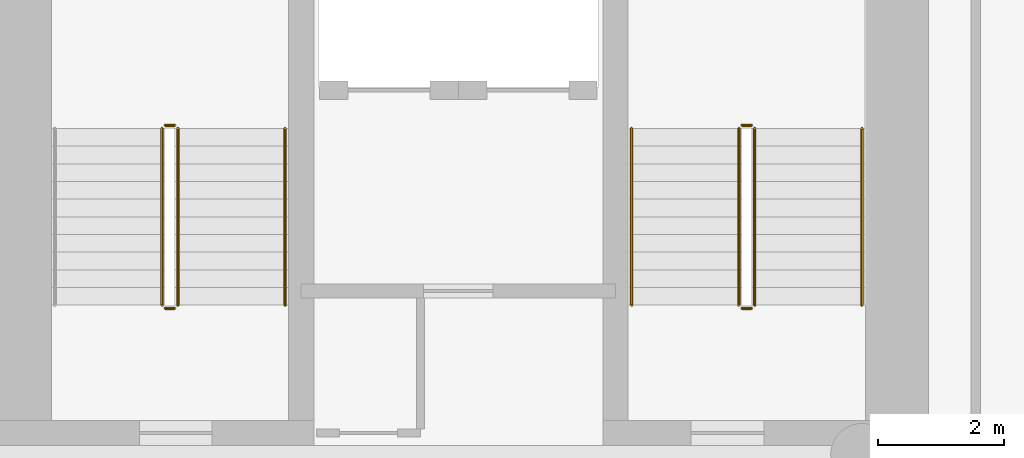
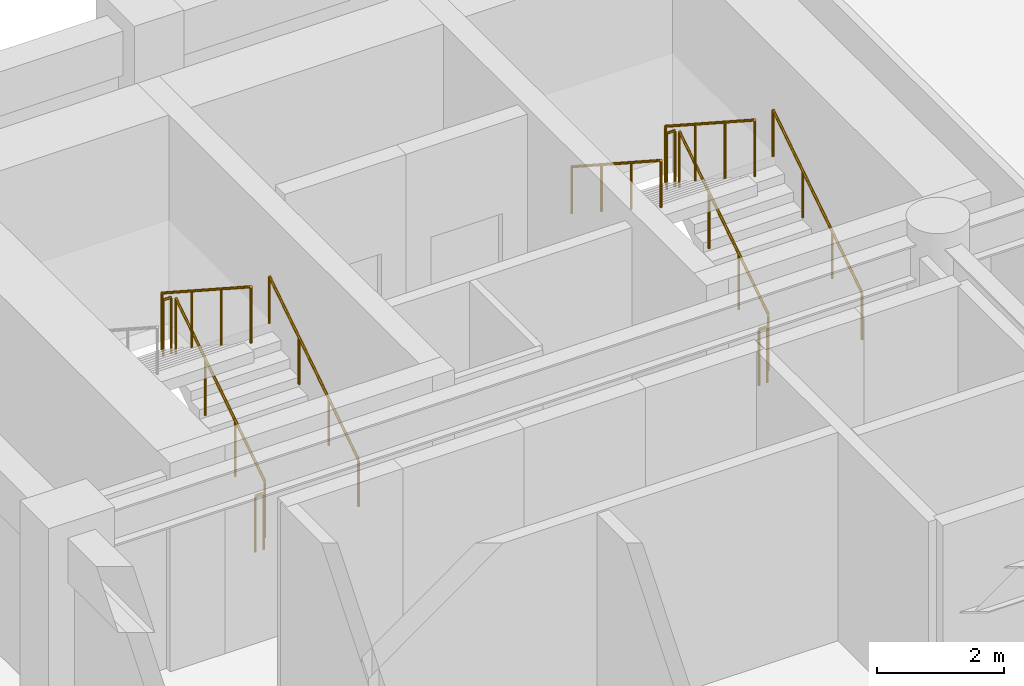
# One storey, part 10 of 11: 11 railings.
"""IFC4 building model written with IfcOpenShell, lengths in metres."""

from ifc_helpers import new_model, si_unit, direction, frame, origin, origin_2d, place, context, subcontext, project, spatial, circle, extrude, material, type_object, element, save


model = new_model("IFC4")

# Units and contexts
model_context = context("Model", 3, precision=1e-05, world=origin(), true_north=direction((0.0, 1.0)))
body_context = subcontext(model_context, "Body", "Model", "MODEL_VIEW")
ifc_project = project(units=[si_unit("LENGTHUNIT", "METRE"), si_unit("AREAUNIT", "SQUARE_METRE"), si_unit("VOLUMEUNIT", "CUBIC_METRE"), si_unit("PLANEANGLEUNIT", "RADIAN"), si_unit("MASSUNIT", "GRAM", prefix="KILO")], contexts=[model_context])

# Site, building, storey
site_placement = place(None, origin())
site = spatial("IfcSite", under=ifc_project, at=site_placement, CompositionType="ELEMENT")
building_placement = place(site_placement, origin())
building = spatial("IfcBuilding", under=site, at=building_placement, Name="Sulina Concourse Tower", CompositionType="ELEMENT")
storey_placement = place(building_placement, frame((0.0, 0.0, 46.60009765625)))
storey = spatial("IfcBuildingStorey", under=building, at=storey_placement, Name="L11", CompositionType="ELEMENT", Elevation=46.60009765625)

# Railings
ifc_material_1 = material(Name="Galvanised steel railing", Category="steel")
railing_type_1 = type_object("IfcRailingType", Name="Core Stair Steel Guardrail 1150mm", PredefinedType="GUARDRAIL", material=ifc_material_1)
railing_1_placement = place(storey_placement, frame((5.554931640625, 36.375, 0.181640625)))
element("IfcRailing", 1, at=railing_1_placement, inside=storey, type_object=railing_type_1, Name="L11 ST-1 stair guard 1", PredefinedType="GUARDRAIL", context=body_context, shape_type="SweptSolid", body=[
    extrude(circle(Radius=0.02392578125, at=origin_2d()), frame((0.0, 0.0, 1.076171875), z_axis=(0.0, 0.838672427954, 0.544636170843), x_axis=(-1.0, 0.0, 0.0)), (0.0, 0.0, 1.0), 3.338623046875),
    extrude(circle(Radius=0.02099609375, at=origin_2d()), origin(), (0.0, 0.0, 1.0), 1.052001953125),
    extrude(circle(Radius=0.02099609375, at=origin_2d()), frame((0.0, 0.933349609375, 0.606201171875)), (0.0, 0.0, 1.0), 1.052001953125),
    extrude(circle(Radius=0.02099609375, at=origin_2d()), frame((0.0, 1.86669921875, 1.212158203125)), (0.0, 0.0, 1.0), 1.052001953125),
    extrude(circle(Radius=0.02099609375, at=origin_2d()), frame((0.0, 2.800048828125, 1.818359375)), (0.0, 0.0, 1.0), 1.052001953125),
])
railing_2_placement = place(storey_placement, frame((5.5048828125, 39.22509765625, 2.0)))
element("IfcRailing", 2, at=railing_2_placement, inside=storey, type_object=railing_type_1, Name="L11 ST-1 stair guard 2", PredefinedType="GUARDRAIL", context=body_context, shape_type="SweptSolid", body=[
    extrude(circle(Radius=0.02392578125, at=origin_2d()), frame((0.0, 0.0, 1.076171875), z_axis=(-1.0, 0.0, 0.0), x_axis=(0.0, -1.0, 0.0)), (0.0, 0.0, 1.0), 0.14990234375),
    extrude(circle(Radius=0.02099609375, at=origin_2d()), origin(), (0.0, 0.0, 1.0), 1.052001953125),
    extrude(circle(Radius=0.02099609375, at=origin_2d()), frame((-0.14990234375, 0.0, 0.0)), (0.0, 0.0, 1.0), 1.052001953125),
])
railing_3_placement = place(storey_placement, frame((5.304931640625, 39.175048828125, 2.181640625)))
element("IfcRailing", 3, at=railing_3_placement, inside=storey, type_object=railing_type_1, Name="L11 ST-1 stair guard 3", PredefinedType="GUARDRAIL", context=body_context, shape_type="SweptSolid", body=[
    extrude(circle(Radius=0.02392578125, at=origin_2d()), frame((0.0, 0.0, 1.076171875), z_axis=(0.0, -0.838672427954, 0.544636170843), x_axis=(1.0, 0.0, 0.0)), (0.0, 0.0, 1.0), 3.338623046875),
    extrude(circle(Radius=0.02099609375, at=origin_2d()), origin(), (0.0, 0.0, 1.0), 1.052001953125),
    extrude(circle(Radius=0.02099609375, at=origin_2d()), frame((0.0, -0.933349609375, 0.606201171875)), (0.0, 0.0, 1.0), 1.052001953125),
    extrude(circle(Radius=0.02099609375, at=origin_2d()), frame((0.0, -1.86669921875, 1.212158203125)), (0.0, 0.0, 1.0), 1.052001953125),
    extrude(circle(Radius=0.02099609375, at=origin_2d()), frame((0.0, -2.800048828125, 1.818359375)), (0.0, 0.0, 1.0), 1.052001953125),
])
railing_4_placement = place(storey_placement, frame((5.5048828125, 36.324951171875, 0.0)))
element("IfcRailing", 4, at=railing_4_placement, inside=storey, type_object=railing_type_1, Name="L11 ST-1 stair guard 4", PredefinedType="GUARDRAIL", context=body_context, shape_type="SweptSolid", body=[
    extrude(circle(Radius=0.02392578125, at=origin_2d()), frame((0.0, 0.0, 1.076171875), z_axis=(-1.0, 0.0, 0.0), x_axis=(0.0, -1.0, 0.0)), (0.0, 0.0, 1.0), 0.14990234375),
    extrude(circle(Radius=0.02099609375, at=origin_2d()), origin(), (0.0, 0.0, 1.0), 1.052001953125),
    extrude(circle(Radius=0.02099609375, at=origin_2d()), frame((-0.14990234375, 0.0, 0.0)), (0.0, 0.0, 1.0), 1.052001953125),
])
railing_5_placement = place(storey_placement, frame((14.695068359375, 36.375, 0.181640625)))
element("IfcRailing", 5, at=railing_5_placement, inside=storey, type_object=railing_type_1, Name="L11 ST-2 stair guard 1", PredefinedType="GUARDRAIL", context=body_context, shape_type="SweptSolid", body=[
    extrude(circle(Radius=0.02392578125, at=origin_2d()), frame((0.0, 0.0, 1.076171875), z_axis=(0.0, 0.838672427954, 0.544636170843), x_axis=(-1.0, 0.0, 0.0)), (0.0, 0.0, 1.0), 3.338623046875),
    extrude(circle(Radius=0.02099609375, at=origin_2d()), origin(), (0.0, 0.0, 1.0), 1.052001953125),
    extrude(circle(Radius=0.02099609375, at=origin_2d()), frame((0.0, 0.933349609375, 0.606201171875)), (0.0, 0.0, 1.0), 1.052001953125),
    extrude(circle(Radius=0.02099609375, at=origin_2d()), frame((0.0, 1.86669921875, 1.212158203125)), (0.0, 0.0, 1.0), 1.052001953125),
    extrude(circle(Radius=0.02099609375, at=origin_2d()), frame((0.0, 2.800048828125, 1.818359375)), (0.0, 0.0, 1.0), 1.052001953125),
])
railing_6_placement = place(storey_placement, frame((14.64501953125, 39.22509765625, 2.0)))
element("IfcRailing", 6, at=railing_6_placement, inside=storey, type_object=railing_type_1, Name="L11 ST-2 stair guard 2", PredefinedType="GUARDRAIL", context=body_context, shape_type="SweptSolid", body=[
    extrude(circle(Radius=0.02392578125, at=origin_2d()), frame((0.0, 0.0, 1.076171875), z_axis=(-1.0, 0.0, 0.0), x_axis=(0.0, -1.0, 0.0)), (0.0, 0.0, 1.0), 0.14990234375),
    extrude(circle(Radius=0.02099609375, at=origin_2d()), origin(), (0.0, 0.0, 1.0), 1.052001953125),
    extrude(circle(Radius=0.02099609375, at=origin_2d()), frame((-0.14990234375, 0.0, 0.0)), (0.0, 0.0, 1.0), 1.052001953125),
])
railing_7_placement = place(storey_placement, frame((14.445068359375, 39.175048828125, 2.181640625)))
element("IfcRailing", 7, at=railing_7_placement, inside=storey, type_object=railing_type_1, Name="L11 ST-2 stair guard 3", PredefinedType="GUARDRAIL", context=body_context, shape_type="SweptSolid", body=[
    extrude(circle(Radius=0.02392578125, at=origin_2d()), frame((0.0, 0.0, 1.076171875), z_axis=(0.0, -0.838672427954, 0.544636170843), x_axis=(1.0, 0.0, 0.0)), (0.0, 0.0, 1.0), 3.338623046875),
    extrude(circle(Radius=0.02099609375, at=origin_2d()), origin(), (0.0, 0.0, 1.0), 1.052001953125),
    extrude(circle(Radius=0.02099609375, at=origin_2d()), frame((0.0, -0.933349609375, 0.606201171875)), (0.0, 0.0, 1.0), 1.052001953125),
    extrude(circle(Radius=0.02099609375, at=origin_2d()), frame((0.0, -1.86669921875, 1.212158203125)), (0.0, 0.0, 1.0), 1.052001953125),
    extrude(circle(Radius=0.02099609375, at=origin_2d()), frame((0.0, -2.800048828125, 1.818359375)), (0.0, 0.0, 1.0), 1.052001953125),
])
railing_8_placement = place(storey_placement, frame((14.64501953125, 36.324951171875, 0.0)))
element("IfcRailing", 8, at=railing_8_placement, inside=storey, type_object=railing_type_1, Name="L11 ST-2 stair guard 4", PredefinedType="GUARDRAIL", context=body_context, shape_type="SweptSolid", body=[
    extrude(circle(Radius=0.02392578125, at=origin_2d()), frame((0.0, 0.0, 1.076171875), z_axis=(-1.0, 0.0, 0.0), x_axis=(0.0, -1.0, 0.0)), (0.0, 0.0, 1.0), 0.14990234375),
    extrude(circle(Radius=0.02099609375, at=origin_2d()), origin(), (0.0, 0.0, 1.0), 1.052001953125),
    extrude(circle(Radius=0.02099609375, at=origin_2d()), frame((-0.14990234375, 0.0, 0.0)), (0.0, 0.0, 1.0), 1.052001953125),
])
ifc_material_2 = material(Name="Galvanised steel railing", Category="steel")
railing_type_2 = type_object("IfcRailingType", Name="Stair Wall Steel Handrail 920mm", PredefinedType="HANDRAIL", material=ifc_material_2)
for number, where, name in (
    (9, (7.2548828125, 36.375, 0.181640625), "L11 ST-1 stair handrail 1"),
    (10, (16.39501953125, 36.375, 0.181640625), "L11 ST-2 stair handrail 1"),
):
    element("IfcRailing", number, at=place(storey_placement, frame(where)), inside=storey, type_object=railing_type_2, Name=name, PredefinedType="HANDRAIL", context=body_context, shape_type="SweptSolid", body=[
        extrude(circle(Radius=0.02392578125, at=origin_2d()), frame((0.0, 0.0, 0.89599609375), z_axis=(0.0, 0.838672427954, 0.544636170843), x_axis=(-1.0, 0.0, 0.0)), (0.0, 0.0, 1.0), 3.338623046875),
        extrude(circle(Radius=0.02099609375, at=origin_2d()), origin(), (0.0, 0.0, 1.0), 0.871826171875),
        extrude(circle(Radius=0.02099609375, at=origin_2d()), frame((0.0, 0.933349609375, 0.606201171875)), (0.0, 0.0, 1.0), 0.871826171875),
        extrude(circle(Radius=0.02099609375, at=origin_2d()), frame((0.0, 1.86669921875, 1.212158203125)), (0.0, 0.0, 1.0), 0.871826171875),
        extrude(circle(Radius=0.02099609375, at=origin_2d()), frame((0.0, 2.800048828125, 1.818359375)), (0.0, 0.0, 1.0), 0.871826171875),
    ])
railing_9_placement = place(storey_placement, frame((12.7451171875, 39.175048828125, 2.181640625)))
element("IfcRailing", 11, at=railing_9_placement, inside=storey, type_object=railing_type_2, Name="L11 ST-2 stair handrail 2", PredefinedType="HANDRAIL", context=body_context, shape_type="SweptSolid", body=[
    extrude(circle(Radius=0.02392578125, at=origin_2d()), frame((0.0, 0.0, 0.89599609375), z_axis=(0.0, -0.838672427954, 0.544636170843), x_axis=(1.0, 0.0, 0.0)), (0.0, 0.0, 1.0), 3.338623046875),
    extrude(circle(Radius=0.02099609375, at=origin_2d()), origin(), (0.0, 0.0, 1.0), 0.871826171875),
    extrude(circle(Radius=0.02099609375, at=origin_2d()), frame((0.0, -0.933349609375, 0.606201171875)), (0.0, 0.0, 1.0), 0.871826171875),
    extrude(circle(Radius=0.02099609375, at=origin_2d()), frame((0.0, -1.86669921875, 1.212158203125)), (0.0, 0.0, 1.0), 0.871826171875),
    extrude(circle(Radius=0.02099609375, at=origin_2d()), frame((0.0, -2.800048828125, 1.818359375)), (0.0, 0.0, 1.0), 0.871826171875),
])

save(model, "model.ifc")
